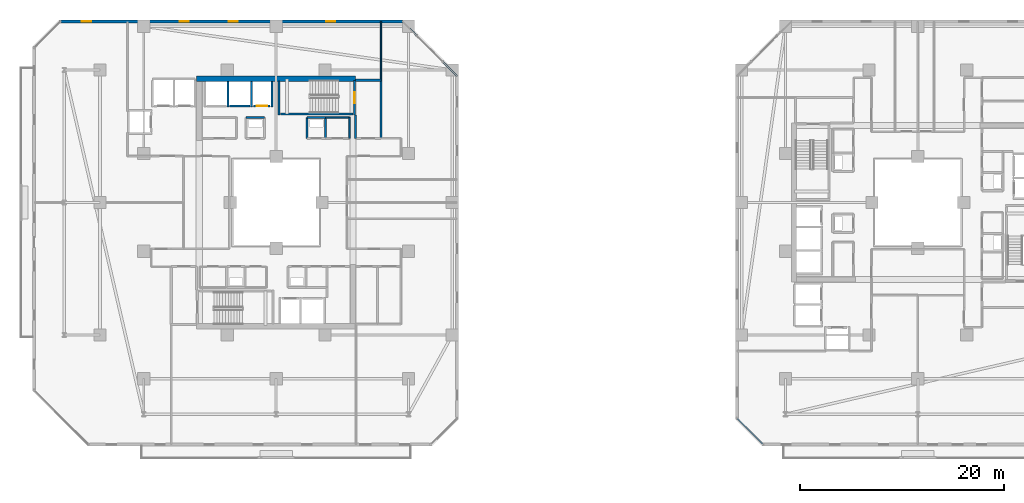
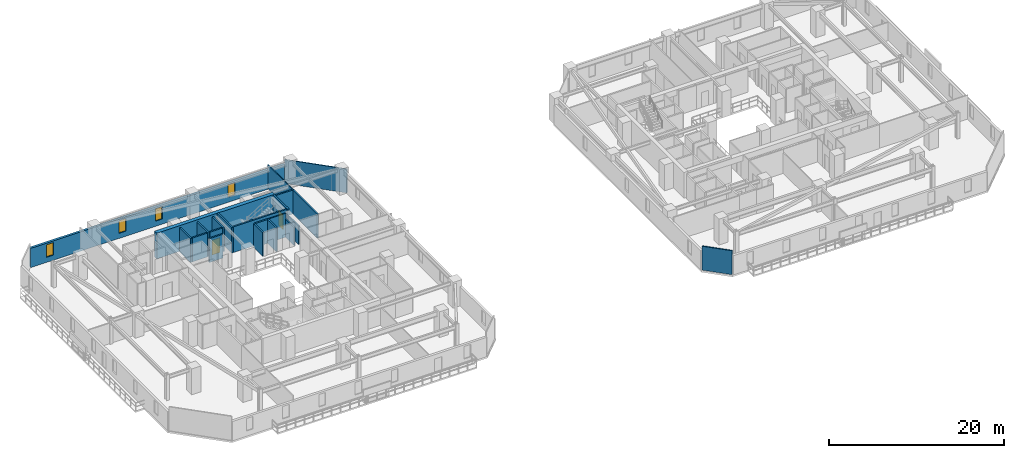
# One storey, part 21 of 33: 22 walls, 4 windows, 2 doors, 6 openings.
"""IFC4 building model written with IfcOpenShell, lengths in metres."""

from ifc_helpers import new_model, si_unit, direction, frame, frame_2d, origin, place, context, subcontext, project, spatial, rectangle, extrude, material, layer, layer_set, type_object, element, fill, save


model = new_model("IFC4")

# Units and contexts
model_context = context("Model", 3, precision=1e-05, world=origin(), true_north=direction((0.0, 1.0)))
body_context = subcontext(model_context, "Body", "Model", "MODEL_VIEW")
ifc_project = project(units=[si_unit("LENGTHUNIT", "METRE"), si_unit("AREAUNIT", "SQUARE_METRE"), si_unit("VOLUMEUNIT", "CUBIC_METRE"), si_unit("PLANEANGLEUNIT", "RADIAN"), si_unit("MASSUNIT", "GRAM", prefix="KILO")], contexts=[model_context])

# Site, building, storey
site_placement = place(None, origin())
site = spatial("IfcSite", under=ifc_project, at=site_placement, CompositionType="ELEMENT")
building_placement = place(site_placement, origin())
building = spatial("IfcBuilding", under=site, at=building_placement, Name="Thornwick Lancets Civic Towers", CompositionType="ELEMENT")
storey_placement = place(building_placement, frame((0.0, 0.0, 130.5)))
storey = spatial("IfcBuildingStorey", under=building, at=storey_placement, Name="L34", CompositionType="ELEMENT", Elevation=130.5)

# Wall, opening, door
ifc_material_1 = material(Name="Concrete blockwork C40/50", Category="masonry")
ifc_layer_1 = layer(ifc_material_1, 0.199951171875, Name="Concrete blockwork C40/50")
ifc_layer_set_1 = layer_set([ifc_layer_1], Name="Concrete blockwork C40/50")
wall_type_1 = type_object("IfcWallType", Name="WALL_COMP_200", PredefinedType="STANDARD", material=ifc_layer_set_1)
wall_1_placement = place(storey_placement, frame((24.919921875, 36.449951171875, 0.0), z_axis=(0.0, 0.0, 1.0), x_axis=(-1.0, 0.0, 0.0)))
wall_1 = element("IfcWall", 1, at=wall_1_placement, inside=storey, type_object=wall_type_1, Name="L34 Hoistway Front Wall FL-A2", PredefinedType="STANDARD", context=body_context, shape_type="SweptSolid", body=[
    extrude(rectangle(XDim=1.639892578125, YDim=0.199951171875, at=frame_2d((0.81982421875, 0.0))), origin(), (0.0, 0.0, 1.0), 3.340087890625),
])
opening_1_placement = place(wall_1_placement, frame((0.31005859375, 0.0, 0.0)))
opening_1 = element("IfcOpeningElement", 2, at=opening_1_placement, cuts=wall_1, Name="Opening LD-FL-A2", PredefinedType="OPENING", context=body_context, shape_type="SweptSolid", body=[
    extrude(rectangle(XDim=1.02001953125, YDim=2.06005859375, at=frame_2d((0.510009765625, 1.030029296875))), frame((0.0, 0.10986328125, 0.0), z_axis=(0.0, -1.0, 0.0), x_axis=(1.0, 0.0, 0.0)), (0.0, 0.0, 1.0), 0.219970703125),
])
ifc_material_2 = material(Name="Brushed bronze stainless steel", Category="steel")
door_type_1 = type_object("IfcDoorType", Name="DOOR_LIFT_SLIDE", OperationType="SLIDING_TO_LEFT", PredefinedType="DOOR", material=ifc_material_2)
door_1_placement = place(opening_1_placement, origin())
door_1 = element("IfcDoor", 3, at=door_1_placement, inside=storey, type_object=door_type_1, Name="L34 Sliding Lift Landing Door LD-FL-A2", OperationType="SLIDING_TO_LEFT", OverallHeight=2.06005859375, OverallWidth=1.02001953125, PredefinedType="DOOR", context=body_context, shape_type="SweptSolid", body=[
    extrude(rectangle(XDim=1.02001953125, YDim=2.06005859375, at=frame_2d((0.510009765625, 1.030029296875))), frame((0.0, 0.02490234375, 0.0), z_axis=(0.0, -1.0, 0.0), x_axis=(1.0, 0.0, 0.0)), (0.0, 0.0, 1.0), 0.050048828125),
])
fill(opening_1, door_1)

# Walls
wall_2_placement = place(storey_placement, frame((22.919921875, 36.449951171875, 0.0), z_axis=(0.0, 0.0, 1.0), x_axis=(-1.0, 0.0, 0.0)))
element("IfcWall", 4, at=wall_2_placement, inside=storey, type_object=wall_type_1, Name="L34 Hoistway Front Wall PL-AH2", PredefinedType="STANDARD", context=body_context, shape_type="SweptSolid", body=[
    extrude(rectangle(XDim=1.989990234375, YDim=0.199951171875, at=frame_2d((0.9951171875, 0.0))), origin(), (0.0, 0.0, 1.0), 3.340087890625),
])
for number, where, z_axis, x_axis, name in (
    (5, (25.10009765625, 36.35205078125, 0.0), (0.0, 0.0, 1.0), (0.0, 1.0, 0.0), "L34 Hoistway Shaft Wall FL-A2 E"),
    (6, (23.10009765625, 36.35205078125, 0.0), (0.0, 0.0, 1.0), (0.0, 1.0, 0.0), "L34 Hoistway Shaft Wall FL-A2 W"),
    (7, (20.77490234375, 36.35205078125, 0.0), (0.0, 0.0, 1.0), (0.0, 1.0, 0.0), "L34 Hoistway Shaft Wall PL-AH2 W"),
):
    element("IfcWall", number, at=place(storey_placement, frame(where, z_axis=z_axis, x_axis=x_axis)), inside=storey, type_object=wall_type_1, Name=name, PredefinedType="STANDARD", context=body_context, shape_type="SweptSolid", body=[
        extrude(rectangle(XDim=2.535888671875, YDim=0.199951171875, at=frame_2d((1.26806640625, 0.0))), origin(), (0.0, 0.0, 1.0), 3.340087890625),
    ])
wall_3_placement = place(storey_placement, frame((35.800048828125, 33.300048828125, 0.0), z_axis=(0.0, 0.0, 1.0), x_axis=(0.0, 1.0, 0.0)))
element("IfcWall", 8, at=wall_3_placement, inside=storey, type_object=wall_type_1, Name="L34 Partition L34-A-FFLOB2 E2", PredefinedType="STANDARD", context=body_context, shape_type="SweptSolid", body=[
    extrude(rectangle(XDim=5.699951171875, YDim=0.199951171875, at=frame_2d((2.85009765625, 0.0))), origin(), (0.0, 0.0, 1.0), 3.340087890625),
])
wall_4_placement = place(storey_placement, frame((35.800048828125, 39.0, 0.0), z_axis=(0.0, 0.0, 1.0), x_axis=(-1.0, 0.0, 0.0)))
element("IfcWall", 9, at=wall_4_placement, inside=storey, type_object=wall_type_1, Name="L34 Partition L34-A-FFLOB2 E3", PredefinedType="STANDARD", context=body_context, shape_type="SweptSolid", body=[
    extrude(rectangle(XDim=2.5, YDim=0.199951171875, at=frame_2d((1.25, 0.0))), origin(), (0.0, 0.0, 1.0), 3.340087890625),
])
wall_5_placement = place(storey_placement, frame((33.300048828125, 35.60009765625, 0.0), z_axis=(0.0, 0.0, 1.0), x_axis=(0.0, -1.0, 0.0)))
element("IfcWall", 10, at=wall_5_placement, inside=storey, type_object=wall_type_1, Name="L34 Partition L34-A-FFLOB2 E4", PredefinedType="STANDARD", context=body_context, shape_type="SweptSolid", body=[
    extrude(rectangle(XDim=2.300048828125, YDim=0.199951171875, at=frame_2d((1.14990234375, 0.0))), origin(), (0.0, 0.0, 1.0), 2.544921875),
])
wall_6_placement = place(storey_placement, frame((24.35009765625, 35.35009765625, 0.0), z_axis=(0.0, 0.0, 1.0), x_axis=(-1.0, 0.0, 0.0)))
element("IfcWall", 11, at=wall_6_placement, inside=storey, type_object=wall_type_1, Name="L34 Partition L34-A-DUCT2 E3", PredefinedType="STANDARD", context=body_context, shape_type="SweptSolid", body=[
    extrude(rectangle(XDim=1.800048828125, YDim=0.199951171875, at=frame_2d((0.89990234375, 0.0))), origin(), (0.0, 0.0, 1.0), 3.340087890625),
])
wall_7_placement = place(storey_placement, frame((30.35009765625, 33.300048828125, 0.0), z_axis=(0.0, 0.0, 1.0), x_axis=(0.0, 1.0, 0.0)))
element("IfcWall", 12, at=wall_7_placement, inside=storey, type_object=wall_type_1, Name="L34 Partition L34-A-RISER2 E2", PredefinedType="STANDARD", context=body_context, shape_type="SweptSolid", body=[
    extrude(rectangle(XDim=2.050048828125, YDim=0.199951171875, at=frame_2d((1.02490234375, 0.0))), origin(), (0.0, 0.0, 1.0), 3.340087890625),
])
wall_8_placement = place(storey_placement, frame((30.35009765625, 35.35009765625, 0.0), z_axis=(0.0, 0.0, 1.0), x_axis=(-1.0, 0.0, 0.0)))
element("IfcWall", 13, at=wall_8_placement, inside=storey, type_object=wall_type_1, Name="L34 Partition L34-A-RISER2 E3", PredefinedType="STANDARD", context=body_context, shape_type="SweptSolid", body=[
    extrude(rectangle(XDim=1.800048828125, YDim=0.199951171875, at=frame_2d((0.89990234375, 0.0))), origin(), (0.0, 0.0, 1.0), 3.340087890625),
])
wall_9_placement = place(storey_placement, frame((28.550048828125, 35.35009765625, 0.0), z_axis=(0.0, 0.0, 1.0), x_axis=(0.0, -1.0, 0.0)))
element("IfcWall", 14, at=wall_9_placement, inside=storey, type_object=wall_type_1, Name="L34 Partition L34-A-RISER2 E4", PredefinedType="STANDARD", context=body_context, shape_type="SweptSolid", body=[
    extrude(rectangle(XDim=2.050048828125, YDim=0.199951171875, at=frame_2d((1.02490234375, 0.0))), origin(), (0.0, 0.0, 1.0), 3.340087890625),
])
ifc_material_3 = material(Name="Concrete C50/60", Category="concrete")
ifc_layer_2 = layer(ifc_material_3, 0.5, Name="Concrete C50/60")
ifc_layer_set_2 = layer_set([ifc_layer_2], Name="Concrete C50/60")
wall_type_2 = type_object("IfcWallType", Name="WALL_CORE_500", PredefinedType="SHEAR", material=ifc_layer_set_2)
wall_10_placement = place(storey_placement, frame((17.699951171875, 39.14990234375, 0.0), z_axis=(0.0, 0.0, 1.0), x_axis=(1.0, 0.0, 0.0)))
element("IfcWall", 15, at=wall_10_placement, inside=storey, type_object=wall_type_2, Name="L34 Split Core A2 Shear Wall N", PredefinedType="SHEAR", context=body_context, shape_type="SweptSolid", body=[
    extrude(rectangle(XDim=15.60009765625, YDim=0.5, at=frame_2d((7.800048828125, 0.0))), origin(), (0.0, 0.0, 1.0), 3.60009765625),
])

# Wall, openings, windows
ifc_material_4 = material(Name="Insulated russet terracotta rainscreen on concrete C40/50", Category="masonry")
ifc_layer_3 = layer(ifc_material_4, 0.300048828125, Name="Insulated russet terracotta rainscreen on concrete C40/50")
ifc_layer_set_3 = layer_set([ifc_layer_3], Name="Insulated russet terracotta rainscreen on concrete C40/50")
wall_type_3 = type_object("IfcWallType", Name="WALL_EXT_RUSSET_300", PredefinedType="STANDARD", material=ifc_layer_set_3)
wall_11_placement = place(storey_placement, frame((37.923583984375, 44.755615234375, 0.0), z_axis=(0.0, 0.0, 1.0), x_axis=(-0.999999963872, 0.000268805477, 0.0)))
wall_11 = element("IfcWall", 16, at=wall_11_placement, inside=storey, type_object=wall_type_3, Name="L34 Tower A Terracotta Facade Wall E4", PredefinedType="STANDARD", context=body_context, shape_type="SweptSolid", body=[
    extrude(rectangle(XDim=33.60498046875, YDim=0.300048828125, at=frame_2d((16.802490234375, 0.0))), origin(), (0.0, 0.0, 1.0), 2.699951171875),
])
opening_2_placement = place(wall_11_placement, frame((6.60009765625, 0.0, 0.719970703125)))
opening_2 = element("IfcOpeningElement", 17, at=opening_2_placement, cuts=wall_11, Name="Opening WL-01", PredefinedType="OPENING", context=body_context, shape_type="SweptSolid", body=[
    extrude(rectangle(XDim=0.89990234375, YDim=1.75, at=frame_2d((0.449951171875, 0.875))), frame((0.0, 0.16015625, 0.0), z_axis=(0.0, -1.0, 0.0), x_axis=(1.0, 0.0, 0.0)), (0.0, 0.0, 1.0), 0.320068359375),
])
opening_3_placement = place(wall_11_placement, frame((16.199951171875, 0.0, 0.719970703125)))
opening_3 = element("IfcOpeningElement", 18, at=opening_3_placement, cuts=wall_11, Name="Opening WL-01", PredefinedType="OPENING", context=body_context, shape_type="SweptSolid", body=[
    extrude(rectangle(XDim=0.89990234375, YDim=1.75, at=frame_2d((0.449951171875, 0.875))), frame((0.0, 0.16015625, 0.0), z_axis=(0.0, -1.0, 0.0), x_axis=(1.0, 0.0, 0.0)), (0.0, 0.0, 1.0), 0.320068359375),
])
opening_4_placement = place(wall_11_placement, frame((21.0, 0.0, 0.719970703125)))
opening_4 = element("IfcOpeningElement", 19, at=opening_4_placement, cuts=wall_11, Name="Opening WL-01", PredefinedType="OPENING", context=body_context, shape_type="SweptSolid", body=[
    extrude(rectangle(XDim=0.89990234375, YDim=1.75, at=frame_2d((0.449951171875, 0.875))), frame((0.0, 0.16015625, 0.0), z_axis=(0.0, -1.0, 0.0), x_axis=(1.0, 0.0, 0.0)), (0.0, 0.0, 1.0), 0.320068359375),
])
opening_5_placement = place(wall_11_placement, frame((30.60009765625, 0.0, 0.719970703125)))
opening_5 = element("IfcOpeningElement", 20, at=opening_5_placement, cuts=wall_11, Name="Opening WL-01", PredefinedType="OPENING", context=body_context, shape_type="SweptSolid", body=[
    extrude(rectangle(XDim=0.89990234375, YDim=1.75, at=frame_2d((0.449951171875, 0.875))), frame((0.0, 0.16015625, 0.0), z_axis=(0.0, -1.0, 0.0), x_axis=(1.0, 0.0, 0.0)), (0.0, 0.0, 1.0), 0.320068359375),
])
ifc_material_5 = material(Name="Clear low-e double glazing in bronze frame", Category="glass")
window_type = type_object("IfcWindowType", Name="WIN_LANCET_900", PartitioningType="SINGLE_PANEL", PredefinedType="WINDOW", material=ifc_material_5)
window_1_placement = place(opening_2_placement, origin())
window_1 = element("IfcWindow", 21, at=window_1_placement, inside=storey, type_object=window_type, Name="L34 Tower A Staggered Lancet Window E4-1", OverallHeight=1.75, OverallWidth=0.89990234375, PartitioningType="SINGLE_PANEL", PredefinedType="WINDOW", context=body_context, shape_type="SweptSolid", body=[
    extrude(rectangle(XDim=0.89990234375, YDim=1.75, at=frame_2d((0.449951171875, 0.875))), frame((0.0, 0.030029296875, 0.0), z_axis=(0.0, -1.0, 0.0), x_axis=(1.0, 0.0, 0.0)), (0.0, 0.0, 1.0), 0.06005859375),
])
fill(opening_2, window_1)
window_2_placement = place(opening_3_placement, origin())
window_2 = element("IfcWindow", 22, at=window_2_placement, inside=storey, type_object=window_type, Name="L34 Tower A Staggered Lancet Window E4-2", OverallHeight=1.75, OverallWidth=0.89990234375, PartitioningType="SINGLE_PANEL", PredefinedType="WINDOW", context=body_context, shape_type="SweptSolid", body=[
    extrude(rectangle(XDim=0.89990234375, YDim=1.75, at=frame_2d((0.449951171875, 0.875))), frame((0.0, 0.030029296875, 0.0), z_axis=(0.0, -1.0, 0.0), x_axis=(1.0, 0.0, 0.0)), (0.0, 0.0, 1.0), 0.06005859375),
])
fill(opening_3, window_2)
window_3_placement = place(opening_4_placement, origin())
window_3 = element("IfcWindow", 23, at=window_3_placement, inside=storey, type_object=window_type, Name="L34 Tower A Staggered Lancet Window E4-3", OverallHeight=1.75, OverallWidth=0.89990234375, PartitioningType="SINGLE_PANEL", PredefinedType="WINDOW", context=body_context, shape_type="SweptSolid", body=[
    extrude(rectangle(XDim=0.89990234375, YDim=1.75, at=frame_2d((0.449951171875, 0.875))), frame((0.0, 0.030029296875, 0.0), z_axis=(0.0, -1.0, 0.0), x_axis=(1.0, 0.0, 0.0)), (0.0, 0.0, 1.0), 0.06005859375),
])
fill(opening_4, window_3)
window_4_placement = place(opening_5_placement, origin())
window_4 = element("IfcWindow", 24, at=window_4_placement, inside=storey, type_object=window_type, Name="L34 Tower A Staggered Lancet Window E4-4", OverallHeight=1.75, OverallWidth=0.89990234375, PartitioningType="SINGLE_PANEL", PredefinedType="WINDOW", context=body_context, shape_type="SweptSolid", body=[
    extrude(rectangle(XDim=0.89990234375, YDim=1.75, at=frame_2d((0.449951171875, 0.875))), frame((0.0, 0.030029296875, 0.0), z_axis=(0.0, -1.0, 0.0), x_axis=(1.0, 0.0, 0.0)), (0.0, 0.0, 1.0), 0.06005859375),
])
fill(opening_5, window_4)

# Walls
ifc_material_6 = material(Name="Acoustic gypsum board partition")
ifc_layer_4 = layer(ifc_material_6, 0.1201171875, Name="Acoustic gypsum board partition")
ifc_layer_set_4 = layer_set([ifc_layer_4], Name="Acoustic gypsum board partition")
wall_type_4 = type_object("IfcWallType", Name="WALL_PART_120", PredefinedType="PARTITIONING", material=ifc_layer_set_4)
wall_12_placement = place(storey_placement, frame((35.800048828125, 39.0, 0.0), z_axis=(0.0, 0.0, 1.0), x_axis=(0.0, 1.0, 0.0)))
element("IfcWall", 25, at=wall_12_placement, inside=storey, type_object=wall_type_4, Name="L34 Partition L34-A-E4 E6", PredefinedType="PARTITIONING", context=body_context, shape_type="SweptSolid", body=[
    extrude(rectangle(XDim=5.719970703125, YDim=0.1201171875, at=frame_2d((2.85986328125, 0.0))), origin(), (0.0, 0.0, 1.0), 3.340087890625),
])
wall_13_placement = place(storey_placement, frame((37.956298828125, 44.719970703125, 0.0), z_axis=(0.0, 0.0, 1.0), x_axis=(0.707106781187, -0.707106781187, 0.0)))
element("IfcWall", 26, at=wall_13_placement, inside=storey, type_object=wall_type_4, Name="L34 Partition L34-A-E4 E8", PredefinedType="PARTITIONING", context=body_context, shape_type="SweptSolid", body=[
    extrude(rectangle(XDim=7.44384765625, YDim=0.1201171875, at=frame_2d((3.721923828125, 0.0))), origin(), (0.0, 0.0, 1.0), 3.340087890625),
])
ifc_material_7 = material(Name="Twin-stud acoustic gypsum board")
ifc_layer_5 = layer(ifc_material_7, 0.14990234375, Name="Twin-stud acoustic gypsum board")
ifc_layer_set_5 = layer_set([ifc_layer_5], Name="Twin-stud acoustic gypsum board")
wall_type_5 = type_object("IfcWallType", Name="WALL_PART_150", PredefinedType="PARTITIONING", material=ifc_layer_set_5)
wall_14_placement = place(storey_placement, frame((32.699951171875, 35.35009765625, 0.0), z_axis=(0.0, 0.0, 1.0), x_axis=(0.0, -1.0, 0.0)))
element("IfcWall", 27, at=wall_14_placement, inside=storey, type_object=wall_type_5, Name="L34 Partition L34-A-FWC E1", PredefinedType="PARTITIONING", context=body_context, shape_type="SweptSolid", body=[
    extrude(rectangle(XDim=2.050048828125, YDim=0.14990234375, at=frame_2d((1.02490234375, 0.0))), origin(), (0.0, 0.0, 1.0), 2.544921875),
])
wall_15_placement = place(storey_placement, frame((30.35009765625, 35.35009765625, 0.0), z_axis=(0.0, 0.0, 1.0), x_axis=(1.0, 0.0, 0.0)))
element("IfcWall", 28, at=wall_15_placement, inside=storey, type_object=wall_type_5, Name="L34 Partition L34-A-FWC E4", PredefinedType="PARTITIONING", context=body_context, shape_type="SweptSolid", body=[
    extrude(rectangle(XDim=2.349853515625, YDim=0.14990234375, at=frame_2d((1.1748046875, 0.0))), origin(), (0.0, 0.0, 1.0), 3.340087890625),
])
wall_16_placement = place(storey_placement, frame((73.274658203125, 3.280029296875, 0.0), z_axis=(0.0, 0.0, 1.0), x_axis=(-0.707106781187, 0.707106781187, 0.0)))
element("IfcWall", 29, at=wall_16_placement, inside=storey, type_object=wall_type_5, Name="L34 Partition L34-B-W2 E5", PredefinedType="PARTITIONING", context=body_context, shape_type="SweptSolid", body=[
    extrude(rectangle(XDim=3.52783203125, YDim=0.14990234375, at=frame_2d((1.763916015625, 0.0))), origin(), (0.0, 0.0, 1.0), 3.340087890625),
])

# Wall, opening, door
ifc_material_8 = material(Name="Concrete C40/50", Category="concrete")
ifc_layer_6 = layer(ifc_material_8, 0.199951171875, Name="Concrete C40/50")
ifc_layer_set_6 = layer_set([ifc_layer_6], Name="Concrete C40/50")
wall_type_6 = type_object("IfcWallType", Name="WALL_SHAFT_200", PredefinedType="SHEAR", material=ifc_layer_set_6)
wall_17_placement = place(storey_placement, frame((33.199951171875, 38.949951171875, 0.0), z_axis=(0.0, 0.0, 1.0), x_axis=(0.0, -1.0, 0.0)))
wall_17 = element("IfcWall", 30, at=wall_17_placement, inside=storey, type_object=wall_type_6, Name="L34 ST-A2 Fire Stair Core Wall NEAR", PredefinedType="SHEAR", context=body_context, shape_type="SweptSolid", body=[
    extrude(rectangle(XDim=3.349853515625, YDim=0.199951171875, at=frame_2d((1.6748046875, 0.0))), origin(), (0.0, 0.0, 1.0), 3.60009765625),
])
opening_6_placement = place(wall_17_placement, frame((1.125, 0.0, 0.0)))
opening_6 = element("IfcOpeningElement", 31, at=opening_6_placement, cuts=wall_17, Name="Opening D-ST-A2-L34", PredefinedType="OPENING", context=body_context, shape_type="SweptSolid", body=[
    extrude(rectangle(XDim=1.10009765625, YDim=2.10009765625, at=frame_2d((0.550048828125, 1.050048828125))), frame((0.0, 0.10986328125, 0.0), z_axis=(0.0, -1.0, 0.0), x_axis=(1.0, 0.0, 0.0)), (0.0, 0.0, 1.0), 0.219970703125),
])
ifc_material_9 = material(Name="Fire-resisting steel and hardwood", Category="steel")
door_type_2 = type_object("IfcDoorType", Name="DOOR_STAIR_FD60", OperationType="NOTDEFINED", PredefinedType="DOOR", material=ifc_material_9)
door_2_placement = place(opening_6_placement, origin())
door_2 = element("IfcDoor", 32, at=door_2_placement, inside=storey, type_object=door_type_2, Name="L34 ST-A2 Exit Stair Door", OperationType="SINGLE_SWING_LEFT", OverallHeight=2.10009765625, OverallWidth=1.10009765625, PredefinedType="DOOR", context=body_context, shape_type="SweptSolid", body=[
    extrude(rectangle(XDim=1.10009765625, YDim=2.10009765625, at=frame_2d((0.550048828125, 1.050048828125))), frame((0.0, 0.02490234375, 0.0), z_axis=(0.0, -1.0, 0.0), x_axis=(1.0, 0.0, 0.0)), (0.0, 0.0, 1.0), 0.050048828125),
])
fill(opening_6, door_2)

# Walls
wall_18_placement = place(storey_placement, frame((25.800048828125, 35.60009765625, 0.0), z_axis=(0.0, 0.0, 1.0), x_axis=(0.0, 1.0, 0.0)))
element("IfcWall", 33, at=wall_18_placement, inside=storey, type_object=wall_type_6, Name="L34 ST-A2 Fire Stair Core Wall FAR", PredefinedType="SHEAR", context=body_context, shape_type="SweptSolid", body=[
    extrude(rectangle(XDim=3.349853515625, YDim=0.199951171875, at=frame_2d((1.6748046875, 0.0))), origin(), (0.0, 0.0, 1.0), 3.60009765625),
])
wall_19_placement = place(storey_placement, frame((25.949951171875, 35.702880859375, 0.0), z_axis=(0.0, 0.0, 1.0), x_axis=(1.0, 0.0, 0.0)))
element("IfcWall", 34, at=wall_19_placement, inside=storey, type_object=wall_type_6, Name="L34 ST-A2 Fire Stair Core Wall RIGHT", PredefinedType="SHEAR", context=body_context, shape_type="SweptSolid", body=[
    extrude(rectangle(XDim=7.10009765625, YDim=0.199951171875, at=frame_2d((3.550048828125, 0.0))), origin(), (0.0, 0.0, 1.0), 3.60009765625),
])

save(model, "model.ifc")
